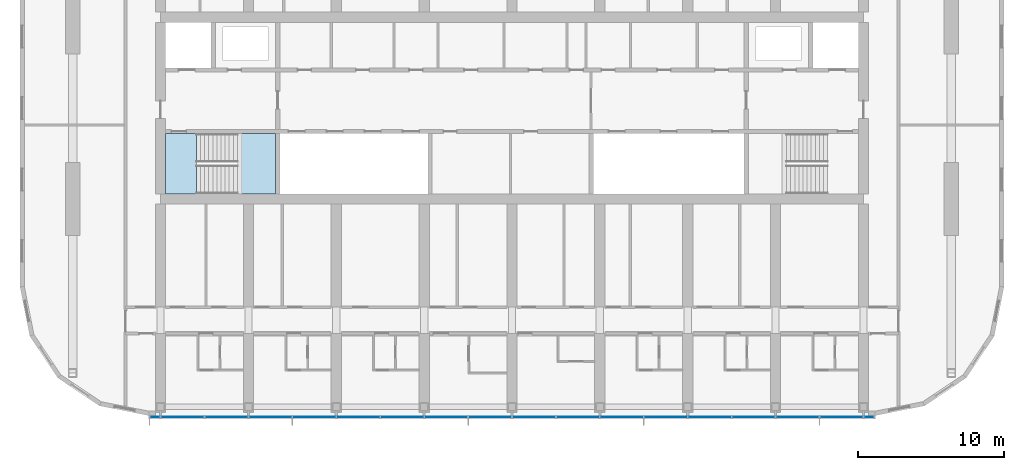
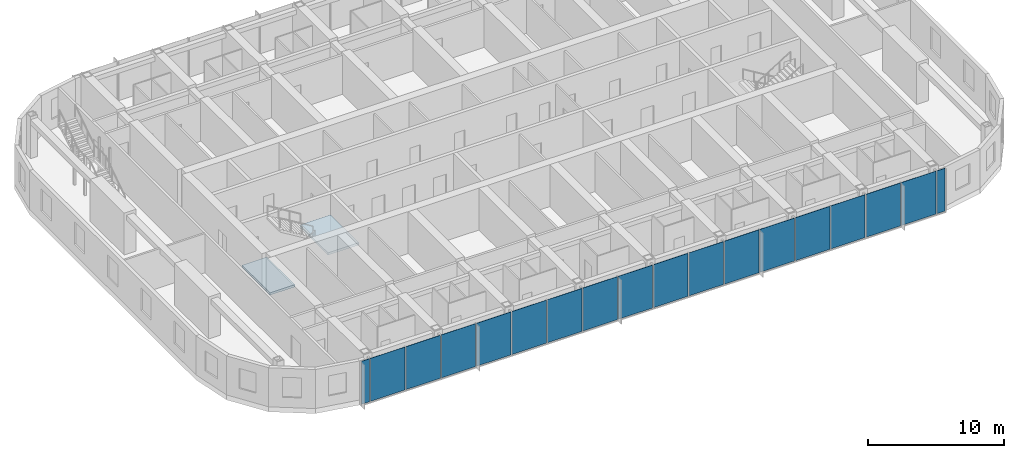
# One storey, part 9 of 27: 18 plates, 2 slabs, 2 elements without a shape of their own.
"""IFC4 building model written with IfcOpenShell, lengths in metres."""

from ifc_helpers import new_model, si_unit, direction, frame, origin, origin_2d, place, context, subcontext, project, spatial, polyline, rectangle, outline, extrude, material, layer, layer_set, type_object, element, aggregate, save


model = new_model("IFC4")

# Units and contexts
model_context = context("Model", 3, precision=1e-05, world=origin(), true_north=direction((0.0, 1.0)))
body_context = subcontext(model_context, "Body", "Model", "MODEL_VIEW")
ifc_project = project(units=[si_unit("LENGTHUNIT", "METRE"), si_unit("AREAUNIT", "SQUARE_METRE"), si_unit("VOLUMEUNIT", "CUBIC_METRE"), si_unit("PLANEANGLEUNIT", "RADIAN"), si_unit("MASSUNIT", "GRAM", prefix="KILO")], contexts=[model_context])

# Site, building, storey
site_placement = place(None, origin())
site = spatial("IfcSite", under=ifc_project, at=site_placement, CompositionType="ELEMENT")
building_placement = place(site_placement, origin())
building = spatial("IfcBuilding", under=site, at=building_placement, Name="Orbita Commons", CompositionType="ELEMENT")
storey_placement = place(building_placement, frame((0.0, 0.0, 246.550048828125)))
storey = spatial("IfcBuildingStorey", under=building, at=storey_placement, Name="L61", CompositionType="ELEMENT", Elevation=246.550048828125)

# Curtain wall, plates
ifc_material_1 = material(Name="Anodised aluminium frame, pale silver", Category="aluminium")
curtain_wall_type = type_object("IfcCurtainWallType", Name="Unitised curtain wall CW-U, full-height vision", PredefinedType="NOTDEFINED", material=ifc_material_1)
curtain_wall_placement = place(storey_placement, origin())
curtain_wall = element("IfcCurtainWall", 1, at=curtain_wall_placement, inside=storey, type_object=curtain_wall_type, Name="Curtain wall south L61", PredefinedType="NOTDEFINED")
ifc_material_2 = material(Name="Clear double glazing", Category="glass")
ifc_layer_1 = layer(ifc_material_2, 0.031982421875)
ifc_layer_set_1 = layer_set([ifc_layer_1], Name="Clear double glazing")
plate_type = type_object("IfcPlateType", Name="Full-height vision panel, clear glazing 32", PredefinedType="CURTAIN_PANEL", material=ifc_layer_set_1)
plate_1_placement = place(storey_placement, frame((17.6201171875, 10.889892578125, -0.35009765625), z_axis=(0.0, 0.0, 1.0), x_axis=(1.0, 0.0, 0.0)))
plate_1 = element("IfcPlate", 2, at=plate_1_placement, type_object=plate_type, Name="Panel 1.1 CW-L61-S", PredefinedType="CURTAIN_PANEL", context=body_context, shape_type="SweptSolid", body=[
    extrude(rectangle(XDim=0.679931640625, YDim=0.031982421875, at=origin_2d()), origin(), (0.0, 0.0, 1.0), 3.85009765625),
])
plate_2_placement = place(storey_placement, frame((19.5, 10.889892578125, -0.35009765625), z_axis=(0.0, 0.0, 1.0), x_axis=(1.0, 0.0, 0.0)))
plate_2 = element("IfcPlate", 3, at=plate_2_placement, type_object=plate_type, Name="Panel 2.1 CW-L61-S", PredefinedType="CURTAIN_PANEL", context=body_context, shape_type="SweptSolid", body=[
    extrude(rectangle(XDim=2.919921875, YDim=0.031982421875, at=origin_2d()), origin(), (0.0, 0.0, 1.0), 3.85009765625),
])
plate_3_placement = place(storey_placement, frame((22.5, 10.889892578125, -0.35009765625), z_axis=(0.0, 0.0, 1.0), x_axis=(1.0, 0.0, 0.0)))
plate_3 = element("IfcPlate", 4, at=plate_3_placement, type_object=plate_type, Name="Panel 3.1 CW-L61-S", PredefinedType="CURTAIN_PANEL", context=body_context, shape_type="SweptSolid", body=[
    extrude(rectangle(XDim=2.919921875, YDim=0.031982421875, at=origin_2d()), origin(), (0.0, 0.0, 1.0), 3.85009765625),
])
plate_4_placement = place(storey_placement, frame((25.5, 10.889892578125, -0.35009765625), z_axis=(0.0, 0.0, 1.0), x_axis=(1.0, 0.0, 0.0)))
plate_4 = element("IfcPlate", 5, at=plate_4_placement, type_object=plate_type, Name="Panel 4.1 CW-L61-S", PredefinedType="CURTAIN_PANEL", context=body_context, shape_type="SweptSolid", body=[
    extrude(rectangle(XDim=2.919921875, YDim=0.031982421875, at=origin_2d()), origin(), (0.0, 0.0, 1.0), 3.85009765625),
])
plate_5_placement = place(storey_placement, frame((28.5, 10.889892578125, -0.35009765625), z_axis=(0.0, 0.0, 1.0), x_axis=(1.0, 0.0, 0.0)))
plate_5 = element("IfcPlate", 6, at=plate_5_placement, type_object=plate_type, Name="Panel 5.1 CW-L61-S", PredefinedType="CURTAIN_PANEL", context=body_context, shape_type="SweptSolid", body=[
    extrude(rectangle(XDim=2.919921875, YDim=0.031982421875, at=origin_2d()), origin(), (0.0, 0.0, 1.0), 3.85009765625),
])
plate_6_placement = place(storey_placement, frame((31.5, 10.889892578125, -0.35009765625), z_axis=(0.0, 0.0, 1.0), x_axis=(1.0, 0.0, 0.0)))
plate_6 = element("IfcPlate", 7, at=plate_6_placement, type_object=plate_type, Name="Panel 6.1 CW-L61-S", PredefinedType="CURTAIN_PANEL", context=body_context, shape_type="SweptSolid", body=[
    extrude(rectangle(XDim=2.919921875, YDim=0.031982421875, at=origin_2d()), origin(), (0.0, 0.0, 1.0), 3.85009765625),
])
plate_7_placement = place(storey_placement, frame((34.5, 10.889892578125, -0.35009765625), z_axis=(0.0, 0.0, 1.0), x_axis=(1.0, 0.0, 0.0)))
plate_7 = element("IfcPlate", 8, at=plate_7_placement, type_object=plate_type, Name="Panel 7.1 CW-L61-S", PredefinedType="CURTAIN_PANEL", context=body_context, shape_type="SweptSolid", body=[
    extrude(rectangle(XDim=2.919921875, YDim=0.031982421875, at=origin_2d()), origin(), (0.0, 0.0, 1.0), 3.85009765625),
])
plate_8_placement = place(storey_placement, frame((37.5, 10.889892578125, -0.35009765625), z_axis=(0.0, 0.0, 1.0), x_axis=(1.0, 0.0, 0.0)))
plate_8 = element("IfcPlate", 9, at=plate_8_placement, type_object=plate_type, Name="Panel 8.1 CW-L61-S", PredefinedType="CURTAIN_PANEL", context=body_context, shape_type="SweptSolid", body=[
    extrude(rectangle(XDim=2.919921875, YDim=0.031982421875, at=origin_2d()), origin(), (0.0, 0.0, 1.0), 3.85009765625),
])
plate_9_placement = place(storey_placement, frame((40.5, 10.889892578125, -0.35009765625), z_axis=(0.0, 0.0, 1.0), x_axis=(1.0, 0.0, 0.0)))
plate_9 = element("IfcPlate", 10, at=plate_9_placement, type_object=plate_type, Name="Panel 9.1 CW-L61-S", PredefinedType="CURTAIN_PANEL", context=body_context, shape_type="SweptSolid", body=[
    extrude(rectangle(XDim=2.919921875, YDim=0.031982421875, at=origin_2d()), origin(), (0.0, 0.0, 1.0), 3.85009765625),
])
plate_10_placement = place(storey_placement, frame((43.5, 10.889892578125, -0.35009765625), z_axis=(0.0, 0.0, 1.0), x_axis=(1.0, 0.0, 0.0)))
plate_10 = element("IfcPlate", 11, at=plate_10_placement, type_object=plate_type, Name="Panel 10.1 CW-L61-S", PredefinedType="CURTAIN_PANEL", context=body_context, shape_type="SweptSolid", body=[
    extrude(rectangle(XDim=2.919921875, YDim=0.031982421875, at=origin_2d()), origin(), (0.0, 0.0, 1.0), 3.85009765625),
])
plate_11_placement = place(storey_placement, frame((46.5, 10.889892578125, -0.35009765625), z_axis=(0.0, 0.0, 1.0), x_axis=(1.0, 0.0, 0.0)))
plate_11 = element("IfcPlate", 12, at=plate_11_placement, type_object=plate_type, Name="Panel 11.1 CW-L61-S", PredefinedType="CURTAIN_PANEL", context=body_context, shape_type="SweptSolid", body=[
    extrude(rectangle(XDim=2.919921875, YDim=0.031982421875, at=origin_2d()), origin(), (0.0, 0.0, 1.0), 3.85009765625),
])
plate_12_placement = place(storey_placement, frame((49.5, 10.889892578125, -0.35009765625), z_axis=(0.0, 0.0, 1.0), x_axis=(1.0, 0.0, 0.0)))
plate_12 = element("IfcPlate", 13, at=plate_12_placement, type_object=plate_type, Name="Panel 12.1 CW-L61-S", PredefinedType="CURTAIN_PANEL", context=body_context, shape_type="SweptSolid", body=[
    extrude(rectangle(XDim=2.919921875, YDim=0.031982421875, at=origin_2d()), origin(), (0.0, 0.0, 1.0), 3.85009765625),
])
plate_13_placement = place(storey_placement, frame((52.5, 10.889892578125, -0.35009765625), z_axis=(0.0, 0.0, 1.0), x_axis=(1.0, 0.0, 0.0)))
plate_13 = element("IfcPlate", 14, at=plate_13_placement, type_object=plate_type, Name="Panel 13.1 CW-L61-S", PredefinedType="CURTAIN_PANEL", context=body_context, shape_type="SweptSolid", body=[
    extrude(rectangle(XDim=2.919921875, YDim=0.031982421875, at=origin_2d()), origin(), (0.0, 0.0, 1.0), 3.85009765625),
])
plate_14_placement = place(storey_placement, frame((55.5, 10.889892578125, -0.35009765625), z_axis=(0.0, 0.0, 1.0), x_axis=(1.0, 0.0, 0.0)))
plate_14 = element("IfcPlate", 15, at=plate_14_placement, type_object=plate_type, Name="Panel 14.1 CW-L61-S", PredefinedType="CURTAIN_PANEL", context=body_context, shape_type="SweptSolid", body=[
    extrude(rectangle(XDim=2.919921875, YDim=0.031982421875, at=origin_2d()), origin(), (0.0, 0.0, 1.0), 3.85009765625),
])
plate_15_placement = place(storey_placement, frame((58.5, 10.889892578125, -0.35009765625), z_axis=(0.0, 0.0, 1.0), x_axis=(1.0, 0.0, 0.0)))
plate_15 = element("IfcPlate", 16, at=plate_15_placement, type_object=plate_type, Name="Panel 15.1 CW-L61-S", PredefinedType="CURTAIN_PANEL", context=body_context, shape_type="SweptSolid", body=[
    extrude(rectangle(XDim=2.919921875, YDim=0.031982421875, at=origin_2d()), origin(), (0.0, 0.0, 1.0), 3.85009765625),
])
plate_16_placement = place(storey_placement, frame((61.5, 10.889892578125, -0.35009765625), z_axis=(0.0, 0.0, 1.0), x_axis=(1.0, 0.0, 0.0)))
plate_16 = element("IfcPlate", 17, at=plate_16_placement, type_object=plate_type, Name="Panel 16.1 CW-L61-S", PredefinedType="CURTAIN_PANEL", context=body_context, shape_type="SweptSolid", body=[
    extrude(rectangle(XDim=2.919921875, YDim=0.031982421875, at=origin_2d()), origin(), (0.0, 0.0, 1.0), 3.85009765625),
])
plate_17_placement = place(storey_placement, frame((64.5, 10.889892578125, -0.35009765625), z_axis=(0.0, 0.0, 1.0), x_axis=(1.0, 0.0, 0.0)))
plate_17 = element("IfcPlate", 18, at=plate_17_placement, type_object=plate_type, Name="Panel 17.1 CW-L61-S", PredefinedType="CURTAIN_PANEL", context=body_context, shape_type="SweptSolid", body=[
    extrude(rectangle(XDim=2.919921875, YDim=0.031982421875, at=origin_2d()), origin(), (0.0, 0.0, 1.0), 3.85009765625),
])
plate_18_placement = place(storey_placement, frame((66.3798828125, 10.889892578125, -0.35009765625), z_axis=(0.0, 0.0, 1.0), x_axis=(1.0, 0.0, 0.0)))
plate_18 = element("IfcPlate", 19, at=plate_18_placement, type_object=plate_type, Name="Panel 18.1 CW-L61-S", PredefinedType="CURTAIN_PANEL", context=body_context, shape_type="SweptSolid", body=[
    extrude(rectangle(XDim=0.679931640625, YDim=0.031982421875, at=origin_2d()), origin(), (0.0, 0.0, 1.0), 3.85009765625),
])
aggregate(curtain_wall, [plate_1, plate_2, plate_3, plate_4, plate_5, plate_6, plate_7, plate_8, plate_9, plate_10, plate_11, plate_12, plate_13, plate_14, plate_15, plate_16, plate_17, plate_18])

# Stair, slabs
ifc_material_3 = material(Name="Precast concrete C40/50", Category="concrete")
stair_type = type_object("IfcStairType", Name="Exit stair S1 2 flights 11 risers 170", PredefinedType="HALF_TURN_STAIR", material=ifc_material_3)
stair_placement = place(storey_placement, origin())
stair = element("IfcStair", 20, at=stair_placement, inside=storey, type_object=stair_type, Name="Exit stair S1 L61", PredefinedType="HALF_TURN_STAIR")
ifc_material_4 = material(Name="Concrete C40/50", Category="concrete")
ifc_layer_2 = layer(ifc_material_4, 0.199951171875)
ifc_layer_set_2 = layer_set([ifc_layer_2], Name="Concrete C40/50")
slab_type = type_object("IfcSlabType", Name="Stair landing 200", PredefinedType="LANDING", material=ifc_layer_set_2)
slab_1_placement = place(storey_placement, frame((0.0, 0.0, -0.199951171875)))
slab_1 = element("IfcSlab", 21, at=slab_1_placement, type_object=slab_type, Name="S1 landing 1", PredefinedType="LANDING", context=body_context, shape_type="SweptSolid", body=[
    extrude(outline(polyline([(18.35009765625, 26.14990234375), (20.449951171875, 26.14990234375), (20.449951171875, 30.25), (18.35009765625, 30.25), (18.35009765625, 26.14990234375)])), origin(), (0.0, 0.0, 1.0), 0.199951171875),
])
slab_2_placement = place(storey_placement, frame((0.0, 0.0, 1.675048828125)))
slab_2 = element("IfcSlab", 22, at=slab_2_placement, type_object=slab_type, Name="S1 landing 2", PredefinedType="LANDING", context=body_context, shape_type="SweptSolid", body=[
    extrude(outline(polyline([(23.25, 26.135009765625), (25.864990234375, 26.135009765625), (25.864990234375, 30.264892578125), (23.25, 30.264892578125), (23.25, 26.135009765625)])), origin(), (0.0, 0.0, 1.0), 0.199951171875),
])
aggregate(stair, [slab_1, slab_2])

save(model, "model.ifc")
